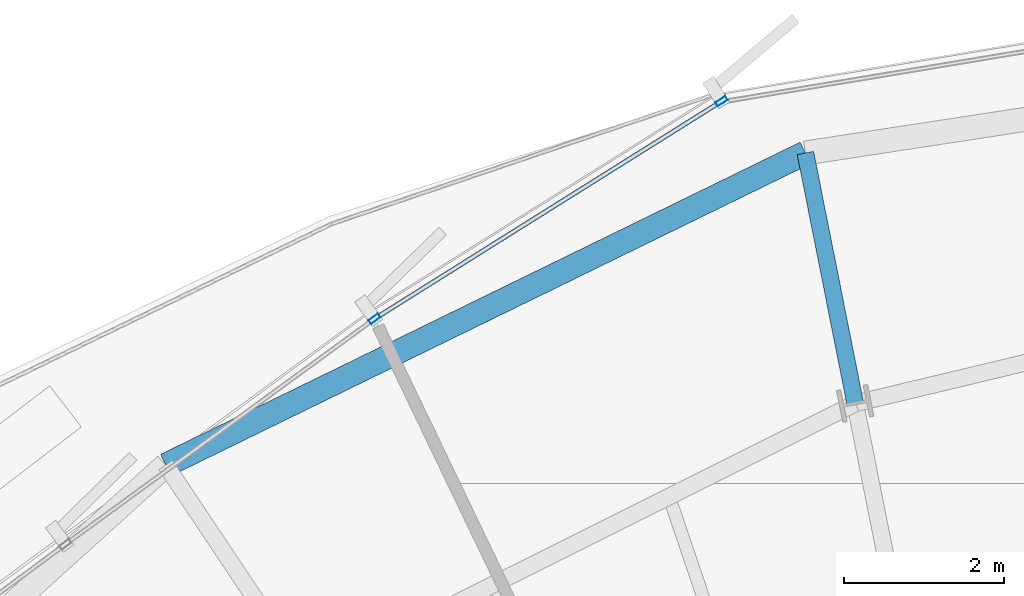
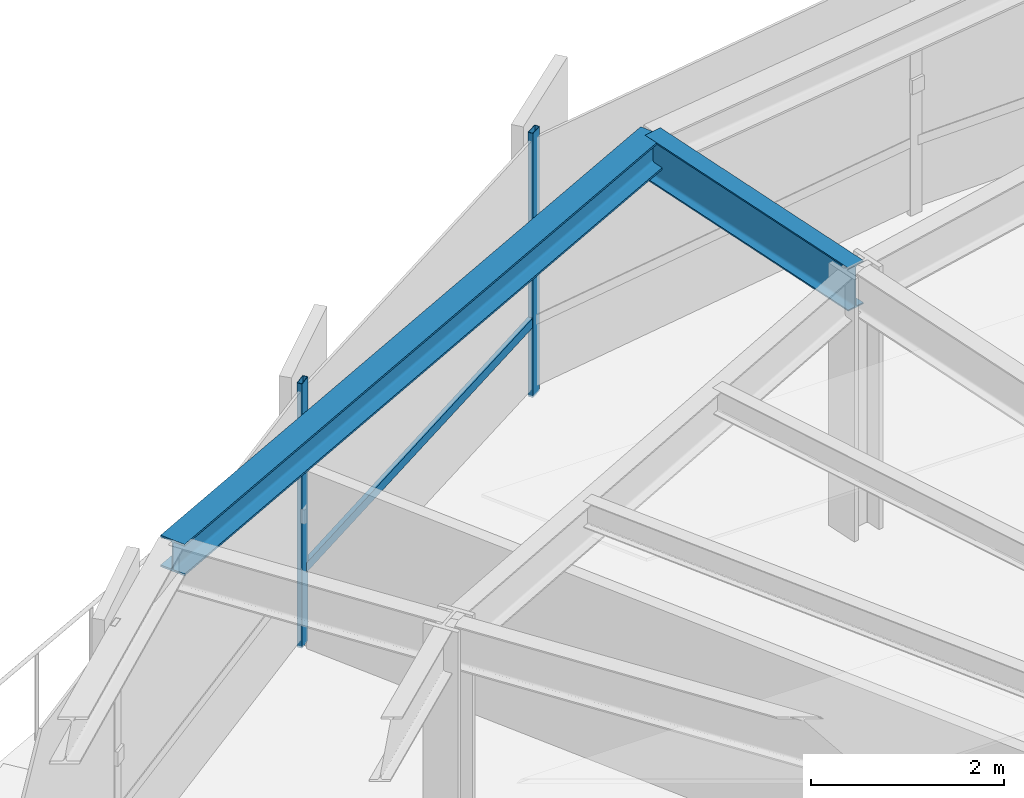
# One storey, part 21 of 35: 3 members, 2 beams, 1 element without a shape of its own.
"""IFC4 building model written with IfcOpenShell, lengths in metres."""

from ifc_helpers import new_model, si_unit, direction, frame, origin, origin_2d, place, context, subcontext, project, spatial, hollow_rectangle, i_section, extrude, source, transform, mapped, material, layer, layer_set, material_profile, profile_set, type_object, element, aggregate, save


model = new_model("IFC4")

# Units and contexts
model_context = context("Model", 3, precision=1e-05, world=origin(), true_north=direction((0.0, 1.0)))
body_context = subcontext(model_context, "Body", "Model", "MODEL_VIEW")
ifc_project = project(units=[si_unit("LENGTHUNIT", "METRE"), si_unit("AREAUNIT", "SQUARE_METRE"), si_unit("VOLUMEUNIT", "CUBIC_METRE"), si_unit("PLANEANGLEUNIT", "RADIAN"), si_unit("MASSUNIT", "GRAM", prefix="KILO"), si_unit("THERMODYNAMICTEMPERATUREUNIT", "KELVIN")], contexts=[model_context])

# Site, building, storey
site_placement = place(None, origin())
site = spatial("IfcSite", under=ifc_project, at=site_placement, CompositionType="ELEMENT")
building_placement = place(site_placement, origin())
building = spatial("IfcBuilding", under=site, at=building_placement, Name="Kethvar Cultural Tower", CompositionType="ELEMENT")
storey_placement = place(building_placement, frame((0.0, 0.0, 89.199951171875)))
storey = spatial("IfcBuildingStorey", under=building, at=storey_placement, Name="L21", CompositionType="ELEMENT", Elevation=89.199951171875)

# Beams
ifc_material_1 = material(Name="Steel S355J2", Category="steel")
ifc_material_profile_1 = material_profile(ifc_material_1, i_section(OverallWidth=0.2099609375, OverallDepth=0.550048828125, WebThickness=0.010986328125, FlangeThickness=0.01708984375, FilletRadius=0.02392578125, at=origin_2d()), Name="Steel S355J2 — IPE550")
ifc_profile_set_1 = profile_set([ifc_material_profile_1], Name="Steel S355J2 — IPE550")
beam_type_1 = type_object("IfcBeamType", Name="BM-IPE550", PredefinedType="BEAM", material=ifc_profile_set_1)
shared_shape_1 = source(origin(), body_context, "Body", "SweptSolid", [
    extrude(i_section(OverallWidth=0.2099609375, OverallDepth=0.550048828125, WebThickness=0.010986328125, FlangeThickness=0.01708984375, FilletRadius=0.02392578125, at=origin_2d()), origin(), (0.0, 0.0, 1.0), 3.199951171875),
])
beam_1_placement = place(storey_placement, frame((42.9189453125, 47.311279296875, 3.072998046875), z_axis=(-0.195088965533, 0.980785550224, 0.0), x_axis=(-0.980785550224, -0.195088965533, 0.0)))
element("IfcBeam", 1, at=beam_1_placement, inside=storey, type_object=beam_type_1, Name="L21 Perimeter Cantilever Beam RC-05", PredefinedType="BEAM", context=body_context, shape_type="MappedRepresentation", body=[
    mapped(shared_shape_1, transform((0.0, 0.0, 0.0), scale=1.0)),
])
ifc_material_profile_2 = material_profile(ifc_material_1, i_section(OverallWidth=0.300048828125, OverallDepth=0.39990234375, WebThickness=0.013427734375, FlangeThickness=0.02392578125, FilletRadius=0.027099609375, at=origin_2d()), Name="Steel S355J2 — HEB400")
ifc_profile_set_2 = profile_set([ifc_material_profile_2], Name="Steel S355J2 — HEB400")
beam_type_2 = type_object("IfcBeamType", Name="BM-SP400", PredefinedType="SPANDREL", material=ifc_profile_set_2)
shared_shape_2 = source(origin(), body_context, "Body", "SweptSolid", [
    extrude(i_section(OverallWidth=0.300048828125, OverallDepth=0.39990234375, WebThickness=0.013427734375, FlangeThickness=0.02392578125, FilletRadius=0.027099609375, at=origin_2d()), origin(), (0.0, 0.0, 1.0), 8.91845703125),
])
beam_2_placement = place(storey_placement, frame((42.294677734375, 50.44970703125, 3.14794921875), z_axis=(-0.898683713341, -0.438597290662, 0.0), x_axis=(0.438597290662, -0.898683713341, 0.0)))
element("IfcBeam", 2, at=beam_2_placement, inside=storey, type_object=beam_type_2, Name="L21 Perimeter Spandrel Beam SP-05", PredefinedType="SPANDREL", context=body_context, shape_type="MappedRepresentation", body=[
    mapped(shared_shape_2, transform((0.0, 0.0, 0.0), scale=1.0)),
])

# Curtain wall, members
ifc_material_2 = material(Name="Aluminium 6063-T6", Category="aluminium")
ifc_layer = layer(ifc_material_2, 0.179931640625, Name="Aluminium 6063-T6", Category="aluminium")
ifc_layer_set = layer_set([ifc_layer], Name="Aluminium 6063-T6 (180 mm)")
curtain_wall_type = type_object("IfcCurtainWallType", Name="CW-SYS-03-Z2", PredefinedType="NOTDEFINED", material=ifc_layer_set)
curtain_wall_placement = place(storey_placement, origin())
curtain_wall = element("IfcCurtainWall", 3, at=curtain_wall_placement, inside=storey, type_object=curtain_wall_type, Name="L21 Curtain Wall Run 02", PredefinedType="NOTDEFINED")
ifc_material_profile_3 = material_profile(ifc_material_2, hollow_rectangle(XDim=0.06005859375, YDim=0.14990234375, WallThickness=0.0048828125, at=origin_2d()), Name="Aluminium 6063-T6 — RHS150x60x5")
ifc_profile_set_3 = profile_set([ifc_material_profile_3], Name="Aluminium 6063-T6 — RHS150x60x5")
member_type_1 = type_object("IfcMemberType", Name="CW-SYS-03-Z2-MUL", PredefinedType="MULLION", material=ifc_profile_set_3)
shared_shape_3 = source(origin(), body_context, "Body", "SweptSolid", [
    extrude(hollow_rectangle(XDim=0.06005859375, YDim=0.14990234375, WallThickness=0.0048828125, at=origin_2d()), origin(), (0.0, 0.0, 1.0), 3.35009765625),
])
member_1_placement = place(storey_placement, frame((41.244140625, 51.0986328125, 0.0), z_axis=(0.0, 0.0, 1.0), x_axis=(0.531191572723, -0.84725174126, 0.0)))
member_1 = element("IfcMember", 4, at=member_1_placement, type_object=member_type_1, Name="CW-L21-R02 Mullion 4", PredefinedType="MULLION", context=body_context, shape_type="MappedRepresentation", body=[
    mapped(shared_shape_3, transform((0.0, 0.0, 0.0), scale=1.0)),
])
member_2_placement = place(storey_placement, frame((36.895751953125, 48.37255859375, 0.0), z_axis=(0.0, 0.0, 1.0), x_axis=(0.589450165782, -0.807804742534, 0.0)))
member_2 = element("IfcMember", 5, at=member_2_placement, type_object=member_type_1, Name="CW-L21-R02 Mullion 5", PredefinedType="MULLION", context=body_context, shape_type="MappedRepresentation", body=[
    mapped(shared_shape_3, transform((0.0, 0.0, 0.0), scale=1.0)),
])
ifc_material_profile_4 = material_profile(ifc_material_2, hollow_rectangle(XDim=0.054931640625, YDim=0.1201171875, WallThickness=0.00390625, at=origin_2d()), Name="Aluminium 6063-T6 — RHS120x55x4")
ifc_profile_set_4 = profile_set([ifc_material_profile_4], Name="Aluminium 6063-T6 — RHS120x55x4")
member_type_2 = type_object("IfcMemberType", Name="CW-SYS-03-Z2-TRN", PredefinedType="USERDEFINED", material=ifc_profile_set_4)
shared_shape_4 = source(origin(), body_context, "Body", "SweptSolid", [
    extrude(hollow_rectangle(XDim=0.054931640625, YDim=0.1201171875, WallThickness=0.00390625, at=origin_2d()), origin(), (0.0, 0.0, 1.0), 5.0537109375),
])
member_3_placement = place(storey_placement, frame((41.20751953125, 51.07568359375, 0.949951171875), z_axis=(-0.847242956131, -0.531205584766, 0.0), x_axis=(0.531205584766, -0.847242956131, 0.0)))
member_3 = element("IfcMember", 6, at=member_3_placement, type_object=member_type_2, Name="CW-L21-R02 Transom 4", ObjectType="TRANSOM", PredefinedType="USERDEFINED", context=body_context, shape_type="MappedRepresentation", body=[
    mapped(shared_shape_4, transform((0.0, 0.0, 0.0), scale=1.0)),
])
aggregate(curtain_wall, [member_1, member_2, member_3])

save(model, "model.ifc")
